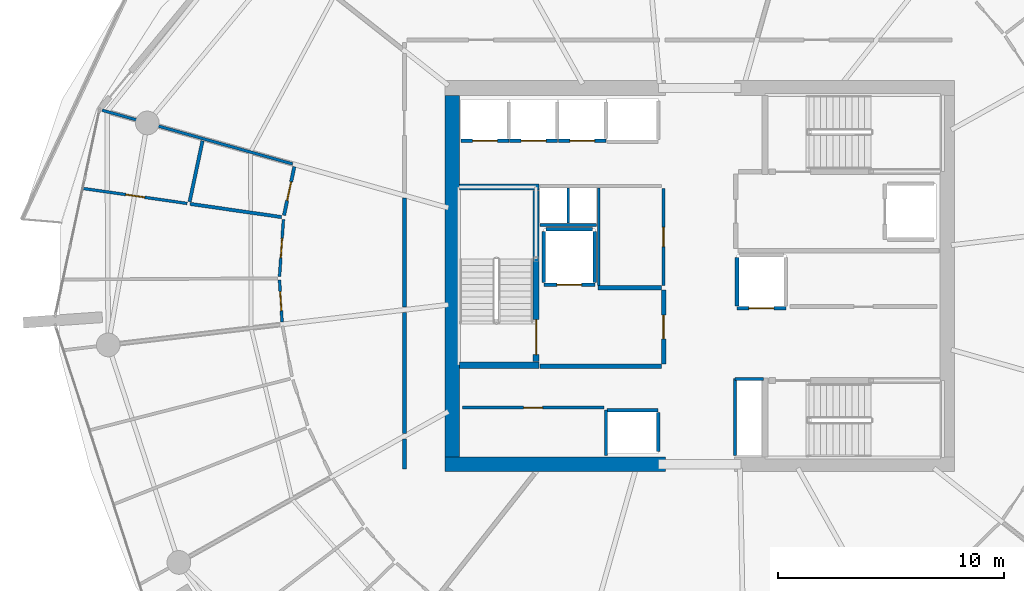
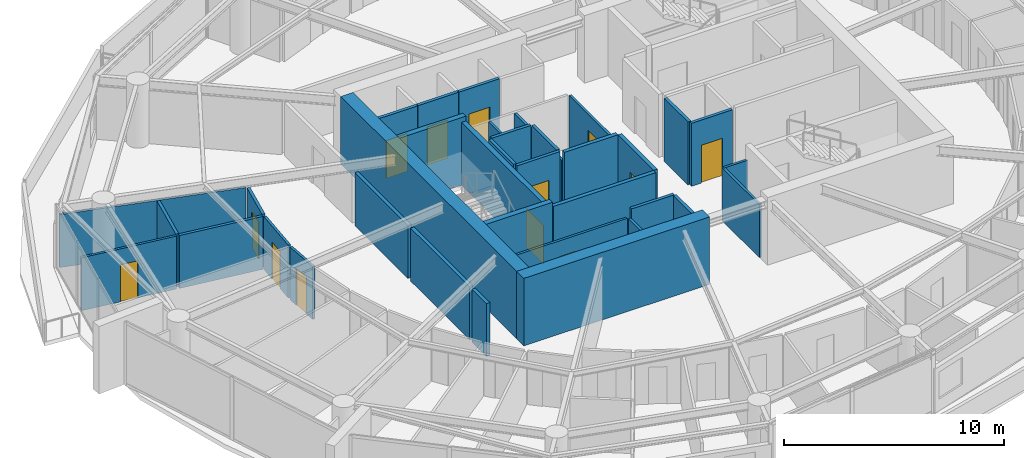
# One storey, part 12 of 21: 37 walls, 13 doors, 13 openings.
"""IFC4 building model written with IfcOpenShell, lengths in metres."""

from ifc_helpers import new_model, si_unit, direction, frame, frame_2d, origin, place, context, subcontext, project, spatial, rectangle, extrude, material, layer, layer_set, type_object, element, fill, save


model = new_model("IFC4")

# Units and contexts
model_context = context("Model", 3, precision=1e-05, world=origin(), true_north=direction((0.0, 1.0)))
body_context = subcontext(model_context, "Body", "Model", "MODEL_VIEW")
ifc_project = project(units=[si_unit("LENGTHUNIT", "METRE"), si_unit("AREAUNIT", "SQUARE_METRE"), si_unit("VOLUMEUNIT", "CUBIC_METRE"), si_unit("PLANEANGLEUNIT", "RADIAN"), si_unit("MASSUNIT", "GRAM", prefix="KILO")], contexts=[model_context])

# Site, building, storey
site_placement = place(None, origin())
site = spatial("IfcSite", under=ifc_project, at=site_placement, CompositionType="ELEMENT")
building_placement = place(site_placement, origin())
building = spatial("IfcBuilding", under=site, at=building_placement, Name="Kazma Halo Residences", CompositionType="ELEMENT")
storey_placement = place(building_placement, frame((0.0, 0.0, 184.050048828125)))
storey = spatial("IfcBuildingStorey", under=building, at=storey_placement, Name="L46", CompositionType="ELEMENT", Elevation=184.050048828125)

# Walls
ifc_material_1 = material(Name="Concrete C60/75", Category="concrete")
ifc_layer_1 = layer(ifc_material_1, 0.64990234375)
ifc_layer_set_1 = layer_set([ifc_layer_1], Name="Concrete C60/75")
wall_type_1 = type_object("IfcWallType", Name="WL-CORE-650", PredefinedType="SHEAR", material=ifc_layer_set_1)
wall_1_placement = place(storey_placement, frame((37.14990234375, 33.675048828125, 0.0), z_axis=(0.0, 0.0, 1.0), x_axis=(1.0, 0.0, 0.0)))
element("IfcWall", 1, at=wall_1_placement, inside=storey, type_object=wall_type_1, Name="L46 central core shear wall SW", PredefinedType="SHEAR", context=body_context, shape_type="SweptSolid", body=[
    extrude(rectangle(XDim=9.75, YDim=0.64990234375, at=frame_2d((4.875, 0.0))), origin(), (0.0, 0.0, 1.0), 3.75),
])
wall_2_placement = place(storey_placement, frame((37.47509765625, 34.0, 0.0), z_axis=(0.0, 0.0, 1.0), x_axis=(0.0, 1.0, 0.0)))
element("IfcWall", 2, at=wall_2_placement, inside=storey, type_object=wall_type_1, Name="L46 central core shear wall W", PredefinedType="SHEAR", context=body_context, shape_type="SweptSolid", body=[
    extrude(rectangle(XDim=16.0, YDim=0.64990234375, at=frame_2d((8.0, 0.0))), origin(), (0.0, 0.0, 1.0), 3.75),
])
ifc_layer_2 = layer(ifc_material_1, 0.280029296875)
ifc_layer_set_2 = layer_set([ifc_layer_2], Name="Concrete C60/75")
wall_type_2 = type_object("IfcWallType", Name="WL-CORE-ST-280", PredefinedType="SHEAR", material=ifc_layer_set_2)
for number, where, z_axis, x_axis, name in (
    (3, (37.800048828125, 38.06005859375, 0.0), (0.0, 0.0, 1.0), (1.0, 0.0, 0.0), "L46 stairwell bearing wall ST01-S"),
    (4, (37.800048828125, 45.93994140625, 0.0), (0.0, 0.0, 1.0), (1.0, 0.0, 0.0), "L46 stairwell bearing wall ST01-N"),
):
    element("IfcWall", number, at=place(storey_placement, frame(where, z_axis=z_axis, x_axis=x_axis)), inside=storey, type_object=wall_type_2, Name=name, PredefinedType="SHEAR", context=body_context, shape_type="SweptSolid", body=[
        extrude(rectangle(XDim=3.5, YDim=0.280029296875, at=frame_2d((1.75, 0.0))), origin(), (0.0, 0.0, 1.0), 3.75),
    ])
ifc_material_2 = material(Name="Acoustic Twin-Stud Gypsum")
ifc_layer_3 = layer(ifc_material_2, 0.179931640625)
ifc_layer_set_3 = layer_set([ifc_layer_3], Name="Acoustic Twin-Stud Gypsum")
wall_type_3 = type_object("IfcWallType", Name="WL-DEM-180", PredefinedType="PARTITIONING", material=ifc_layer_set_3)
wall_3_placement = place(storey_placement, frame((35.35009765625, 45.44775390625, 0.0), z_axis=(0.0, 0.0, 1.0), x_axis=(0.0, -1.0, 0.0)))
element("IfcWall", 5, at=wall_3_placement, inside=storey, type_object=wall_type_3, Name="L46 Apartment 2 inner wall 6", PredefinedType="PARTITIONING", context=body_context, shape_type="SweptSolid", body=[
    extrude(rectangle(XDim=4.824951171875, YDim=0.179931640625, at=frame_2d((2.41259765625, 0.0))), origin(), (0.0, 0.0, 1.0), 2.93994140625),
])
wall_4_placement = place(storey_placement, frame((35.35009765625, 40.3828125, 0.0), z_axis=(0.0, 0.0, 1.0), x_axis=(0.0, -1.0, 0.0)))
element("IfcWall", 6, at=wall_4_placement, inside=storey, type_object=wall_type_3, Name="L46 Apartment 2 inner wall 7", PredefinedType="PARTITIONING", context=body_context, shape_type="SweptSolid", body=[
    extrude(rectangle(XDim=5.34716796875, YDim=0.179931640625, at=frame_2d((2.673583984375, 0.0))), origin(), (0.0, 0.0, 1.0), 2.93994140625),
])
wall_5_placement = place(storey_placement, frame((35.35009765625, 34.795654296875, 0.0), z_axis=(0.0, 0.0, 1.0), x_axis=(0.0, -1.0, 0.0)))
element("IfcWall", 7, at=wall_5_placement, inside=storey, type_object=wall_type_3, Name="L46 Apartment 2 inner wall 8", PredefinedType="PARTITIONING", context=body_context, shape_type="SweptSolid", body=[
    extrude(rectangle(XDim=1.32568359375, YDim=0.179931640625, at=frame_2d((0.662841796875, 0.0))), origin(), (0.0, 0.0, 1.0), 2.93994140625),
])

# Wall, opening, door
ifc_material_3 = material(Name="Fire-Rated Blockwork Masonry", Category="masonry")
ifc_layer_4 = layer(ifc_material_3, 0.199951171875)
ifc_layer_set_4 = layer_set([ifc_layer_4], Name="Fire-Rated Blockwork Masonry")
wall_type_4 = type_object("IfcWallType", Name="WL-FLB-200", PredefinedType="PARTITIONING", material=ifc_layer_set_4)
wall_6_placement = place(storey_placement, frame((39.97509765625, 47.9951171875, 0.0), z_axis=(0.0, 0.0, 1.0), x_axis=(-1.0, 0.0, 0.0)))
wall_6 = element("IfcWall", 8, at=wall_6_placement, inside=storey, type_object=wall_type_4, Name="L46 lift shaft PM-01 front wall", PredefinedType="PARTITIONING", context=body_context, shape_type="SweptSolid", body=[
    extrude(rectangle(XDim=2.110107421875, YDim=0.159912109375, at=frame_2d((1.05517578125, 0.0))), origin(), (0.0, 0.0, 1.0), 3.5),
])
opening_1_placement = place(wall_6_placement, frame((0.5048828125, 0.0, 0.0)))
opening_1 = element("IfcOpeningElement", 9, at=opening_1_placement, cuts=wall_6, Name="Opening LD-PM-01", PredefinedType="OPENING", context=body_context, shape_type="SweptSolid", body=[
    extrude(rectangle(XDim=1.10009765625, YDim=2.10009765625, at=frame_2d((0.550048828125, 1.050048828125))), frame((0.0, 0.08984375, 0.0), z_axis=(0.0, -1.0, 0.0), x_axis=(1.0, 0.0, 0.0)), (0.0, 0.0, 1.0), 0.179931640625),
])
ifc_material_4 = material(Name="Stainless Steel Fire-Rated", Category="steel")
door_type_1 = type_object("IfcDoorType", Name="DR-LIFT-SLD-1100", OperationType="DOUBLE_DOOR_SLIDING", PredefinedType="DOOR", material=ifc_material_4)
door_1_placement = place(opening_1_placement, origin())
door_1 = element("IfcDoor", 10, at=door_1_placement, inside=storey, type_object=door_type_1, Name="L46 lift PM-01 sliding landing door", OperationType="DOUBLE_DOOR_SLIDING", OverallHeight=2.10009765625, OverallWidth=1.10009765625, PredefinedType="DOOR", context=body_context, shape_type="SweptSolid", body=[
    extrude(rectangle(XDim=1.10009765625, YDim=2.10009765625, at=frame_2d((0.550048828125, 1.050048828125))), frame((0.0, 0.02490234375, 0.0), z_axis=(0.0, -1.0, 0.0), x_axis=(1.0, 0.0, 0.0)), (0.0, 0.0, 1.0), 0.050048828125),
])
fill(opening_1, door_1)

wall_7_placement = place(storey_placement, frame((42.125, 47.9951171875, 0.0), z_axis=(0.0, 0.0, 1.0), x_axis=(-1.0, 0.0, 0.0)))
wall_7 = element("IfcWall", 11, at=wall_7_placement, inside=storey, type_object=wall_type_4, Name="L46 lift shaft PM-02 front wall", PredefinedType="PARTITIONING", context=body_context, shape_type="SweptSolid", body=[
    extrude(rectangle(XDim=2.110107421875, YDim=0.159912109375, at=frame_2d((1.05517578125, 0.0))), origin(), (0.0, 0.0, 1.0), 3.5),
])
opening_2_placement = place(wall_7_placement, frame((0.5048828125, 0.0, 0.0)))
opening_2 = element("IfcOpeningElement", 12, at=opening_2_placement, cuts=wall_7, Name="Opening LD-PM-02", PredefinedType="OPENING", context=body_context, shape_type="SweptSolid", body=[
    extrude(rectangle(XDim=1.10009765625, YDim=2.10009765625, at=frame_2d((0.550048828125, 1.050048828125))), frame((0.0, 0.08984375, 0.0), z_axis=(0.0, -1.0, 0.0), x_axis=(1.0, 0.0, 0.0)), (0.0, 0.0, 1.0), 0.179931640625),
])
door_2_placement = place(opening_2_placement, origin())
door_2 = element("IfcDoor", 13, at=door_2_placement, inside=storey, type_object=door_type_1, Name="L46 lift PM-02 sliding landing door", OperationType="DOUBLE_DOOR_SLIDING", OverallHeight=2.10009765625, OverallWidth=1.10009765625, PredefinedType="DOOR", context=body_context, shape_type="SweptSolid", body=[
    extrude(rectangle(XDim=1.10009765625, YDim=2.10009765625, at=frame_2d((0.550048828125, 1.050048828125))), frame((0.0, 0.02490234375, 0.0), z_axis=(0.0, -1.0, 0.0), x_axis=(1.0, 0.0, 0.0)), (0.0, 0.0, 1.0), 0.050048828125),
])
fill(opening_2, door_2)

wall_8_placement = place(storey_placement, frame((44.27490234375, 47.9951171875, 0.0), z_axis=(0.0, 0.0, 1.0), x_axis=(-1.0, 0.0, 0.0)))
wall_8 = element("IfcWall", 14, at=wall_8_placement, inside=storey, type_object=wall_type_4, Name="L46 lift shaft PM-03 front wall", PredefinedType="PARTITIONING", context=body_context, shape_type="SweptSolid", body=[
    extrude(rectangle(XDim=2.10986328125, YDim=0.159912109375, at=frame_2d((1.054931640625, 0.0))), origin(), (0.0, 0.0, 1.0), 3.5),
])
opening_3_placement = place(wall_8_placement, frame((0.5048828125, 0.0, 0.0)))
opening_3 = element("IfcOpeningElement", 15, at=opening_3_placement, cuts=wall_8, Name="Opening LD-PM-03", PredefinedType="OPENING", context=body_context, shape_type="SweptSolid", body=[
    extrude(rectangle(XDim=1.10009765625, YDim=2.10009765625, at=frame_2d((0.550048828125, 1.050048828125))), frame((0.0, 0.08984375, 0.0), z_axis=(0.0, -1.0, 0.0), x_axis=(1.0, 0.0, 0.0)), (0.0, 0.0, 1.0), 0.179931640625),
])
door_3_placement = place(opening_3_placement, origin())
door_3 = element("IfcDoor", 16, at=door_3_placement, inside=storey, type_object=door_type_1, Name="L46 lift PM-03 sliding landing door", OperationType="DOUBLE_DOOR_SLIDING", OverallHeight=2.10009765625, OverallWidth=1.10009765625, PredefinedType="DOOR", context=body_context, shape_type="SweptSolid", body=[
    extrude(rectangle(XDim=1.10009765625, YDim=2.10009765625, at=frame_2d((0.550048828125, 1.050048828125))), frame((0.0, 0.02490234375, 0.0), z_axis=(0.0, -1.0, 0.0), x_axis=(1.0, 0.0, 0.0)), (0.0, 0.0, 1.0), 0.050048828125),
])
fill(opening_3, door_3)

# Walls
wall_9_placement = place(storey_placement, frame((44.320068359375, 36.054931640625, 0.0), z_axis=(0.0, 0.0, 1.0), x_axis=(1.0, 0.0, 0.0)))
element("IfcWall", 17, at=wall_9_placement, inside=storey, type_object=wall_type_4, Name="L46 lift shaft PX-02 front wall", PredefinedType="PARTITIONING", context=body_context, shape_type="SweptSolid", body=[
    extrude(rectangle(XDim=2.260009765625, YDim=0.159912109375, at=frame_2d((1.1298828125, 0.0))), origin(), (0.0, 0.0, 1.0), 3.5),
])
wall_10_placement = place(storey_placement, frame((46.580078125, 34.2451171875, 0.0), z_axis=(0.0, 0.0, 1.0), x_axis=(0.0, 1.0, 0.0)))
element("IfcWall", 18, at=wall_10_placement, inside=storey, type_object=wall_type_4, Name="L46 lift shaft PX-02 side wall E", PredefinedType="PARTITIONING", context=body_context, shape_type="SweptSolid", body=[
    extrude(rectangle(XDim=1.7099609375, YDim=0.159912109375, at=frame_2d((0.85498046875, 0.0))), origin(), (0.0, 0.0, 1.0), 3.5),
])

# Wall, opening, door
wall_11_placement = place(storey_placement, frame((43.780029296875, 41.6201171875, 0.0), z_axis=(0.0, 0.0, 1.0), x_axis=(-1.0, 0.0, 0.0)))
wall_11 = element("IfcWall", 19, at=wall_11_placement, inside=storey, type_object=wall_type_4, Name="L46 lift shaft FL-01 front wall", PredefinedType="PARTITIONING", context=body_context, shape_type="SweptSolid", body=[
    extrude(rectangle(XDim=2.260009765625, YDim=0.159912109375, at=frame_2d((1.1298828125, 0.0))), origin(), (0.0, 0.0, 1.0), 3.5),
])
opening_4_placement = place(wall_11_placement, frame((0.580078125, 0.0, 0.0)))
opening_4 = element("IfcOpeningElement", 20, at=opening_4_placement, cuts=wall_11, Name="Opening LD-FL-01", PredefinedType="OPENING", context=body_context, shape_type="SweptSolid", body=[
    extrude(rectangle(XDim=1.10009765625, YDim=2.10009765625, at=frame_2d((0.550048828125, 1.050048828125))), frame((0.0, 0.08984375, 0.0), z_axis=(0.0, -1.0, 0.0), x_axis=(1.0, 0.0, 0.0)), (0.0, 0.0, 1.0), 0.179931640625),
])
door_4_placement = place(opening_4_placement, origin())
door_4 = element("IfcDoor", 21, at=door_4_placement, inside=storey, type_object=door_type_1, Name="L46 lift FL-01 sliding landing door", OperationType="DOUBLE_DOOR_SLIDING", OverallHeight=2.10009765625, OverallWidth=1.10009765625, PredefinedType="DOOR", context=body_context, shape_type="SweptSolid", body=[
    extrude(rectangle(XDim=1.10009765625, YDim=2.10009765625, at=frame_2d((0.550048828125, 1.050048828125))), frame((0.0, 0.02490234375, 0.0), z_axis=(0.0, -1.0, 0.0), x_axis=(1.0, 0.0, 0.0)), (0.0, 0.0, 1.0), 0.050048828125),
])
fill(opening_4, door_4)

# Walls
for number, where, z_axis, x_axis, name in (
    (22, (43.780029296875, 41.719970703125, 0.0), (0.0, 0.0, 1.0), (0.0, 1.0, 0.0), "L46 lift shaft FL-01 side wall E"),
    (23, (41.52001953125, 41.719970703125, 0.0), (0.0, 0.0, 1.0), (0.0, 1.0, 0.0), "L46 lift shaft FL-01 side wall W"),
):
    element("IfcWall", number, at=place(storey_placement, frame(where, z_axis=z_axis, x_axis=x_axis)), inside=storey, type_object=wall_type_4, Name=name, PredefinedType="PARTITIONING", context=body_context, shape_type="SweptSolid", body=[
        extrude(rectangle(XDim=2.260009765625, YDim=0.159912109375, at=frame_2d((1.1298828125, 0.0))), origin(), (0.0, 0.0, 1.0), 3.5),
    ])
wall_12_placement = place(storey_placement, frame((41.6201171875, 44.080078125, 0.0), z_axis=(0.0, 0.0, 1.0), x_axis=(1.0, 0.0, 0.0)))
element("IfcWall", 24, at=wall_12_placement, inside=storey, type_object=wall_type_4, Name="L46 lift shaft FL-01 side wall N", PredefinedType="PARTITIONING", context=body_context, shape_type="SweptSolid", body=[
    extrude(rectangle(XDim=2.059814453125, YDim=0.159912109375, at=frame_2d((1.02978515625, 0.0))), origin(), (0.0, 0.0, 1.0), 3.5),
])

# Wall, opening, door
wall_13_placement = place(storey_placement, frame((52.22998046875, 40.570068359375, 0.0), z_axis=(0.0, 0.0, 1.0), x_axis=(-1.0, 0.0, 0.0)))
wall_13 = element("IfcWall", 25, at=wall_13_placement, inside=storey, type_object=wall_type_4, Name="L46 lift shaft SV-01 front wall", PredefinedType="PARTITIONING", context=body_context, shape_type="SweptSolid", body=[
    extrude(rectangle(XDim=2.159912109375, YDim=0.159912109375, at=frame_2d((1.080078125, 0.0))), origin(), (0.0, 0.0, 1.0), 3.5),
])
opening_5_placement = place(wall_13_placement, frame((0.530029296875, 0.0, 0.0)))
opening_5 = element("IfcOpeningElement", 26, at=opening_5_placement, cuts=wall_13, Name="Opening LD-SV-01", PredefinedType="OPENING", context=body_context, shape_type="SweptSolid", body=[
    extrude(rectangle(XDim=1.10009765625, YDim=2.10009765625, at=frame_2d((0.550048828125, 1.050048828125))), frame((0.0, 0.08984375, 0.0), z_axis=(0.0, -1.0, 0.0), x_axis=(1.0, 0.0, 0.0)), (0.0, 0.0, 1.0), 0.179931640625),
])
door_5_placement = place(opening_5_placement, origin())
door_5 = element("IfcDoor", 27, at=door_5_placement, inside=storey, type_object=door_type_1, Name="L46 lift SV-01 sliding landing door", OperationType="DOUBLE_DOOR_SLIDING", OverallHeight=2.10009765625, OverallWidth=1.10009765625, PredefinedType="DOOR", context=body_context, shape_type="SweptSolid", body=[
    extrude(rectangle(XDim=1.10009765625, YDim=2.10009765625, at=frame_2d((0.550048828125, 1.050048828125))), frame((0.0, 0.02490234375, 0.0), z_axis=(0.0, -1.0, 0.0), x_axis=(1.0, 0.0, 0.0)), (0.0, 0.0, 1.0), 0.050048828125),
])
fill(opening_5, door_5)

# Walls
wall_14_placement = place(storey_placement, frame((50.070068359375, 40.669921875, 0.0), z_axis=(0.0, 0.0, 1.0), x_axis=(0.0, 1.0, 0.0)))
element("IfcWall", 28, at=wall_14_placement, inside=storey, type_object=wall_type_4, Name="L46 lift shaft SV-01 side wall W", PredefinedType="PARTITIONING", context=body_context, shape_type="SweptSolid", body=[
    extrude(rectangle(XDim=2.16015625, YDim=0.159912109375, at=frame_2d((1.080078125, 0.0))), origin(), (0.0, 0.0, 1.0), 3.5),
])
wall_15_placement = place(storey_placement, frame((41.35009765625, 38.02001953125, 0.0), z_axis=(0.0, 0.0, 1.0), x_axis=(1.0, 0.0, 0.0)))
element("IfcWall", 29, at=wall_15_placement, inside=storey, type_object=wall_type_4, Name="L46 west firefighting lobby south smoke wall", PredefinedType="PARTITIONING", context=body_context, shape_type="SweptSolid", body=[
    extrude(rectangle(XDim=5.369873046875, YDim=0.199951171875, at=frame_2d((2.68505859375, 0.0))), origin(), (0.0, 0.0, 1.0), 3.5),
])
wall_16_placement = place(storey_placement, frame((43.919921875, 41.47998046875, 0.0), z_axis=(0.0, 0.0, 1.0), x_axis=(1.0, 0.0, 0.0)))
element("IfcWall", 30, at=wall_16_placement, inside=storey, type_object=wall_type_4, Name="L46 west firefighting lobby north smoke wall", PredefinedType="PARTITIONING", context=body_context, shape_type="SweptSolid", body=[
    extrude(rectangle(XDim=2.800048828125, YDim=0.199951171875, at=frame_2d((1.39990234375, 0.0))), origin(), (0.0, 0.0, 1.0), 3.5),
])

# Wall, opening, door
wall_17_placement = place(storey_placement, frame((46.820068359375, 38.1201171875, 0.0), z_axis=(0.0, 0.0, 1.0), x_axis=(0.0, 1.0, 0.0)))
wall_17 = element("IfcWall", 31, at=wall_17_placement, inside=storey, type_object=wall_type_4, Name="L46 west firefighting lobby smoke wall", PredefinedType="PARTITIONING", context=body_context, shape_type="SweptSolid", body=[
    extrude(rectangle(XDim=3.259765625, YDim=0.199951171875, at=frame_2d((1.6298828125, 0.0))), origin(), (0.0, 0.0, 1.0), 3.5),
])
opening_6_placement = place(wall_17_placement, frame((1.10498046875, 0.0, 0.0)))
opening_6 = element("IfcOpeningElement", 32, at=opening_6_placement, cuts=wall_17, Name="Opening D-FLW", PredefinedType="OPENING", context=body_context, shape_type="SweptSolid", body=[
    extrude(rectangle(XDim=1.050048828125, YDim=2.10009765625, at=frame_2d((0.52490234375, 1.050048828125))), frame((0.0, 0.10986328125, 0.0), z_axis=(0.0, -1.0, 0.0), x_axis=(1.0, 0.0, 0.0)), (0.0, 0.0, 1.0), 0.219970703125),
])
ifc_material_5 = material(Name="Fire-Rated Steel Leaf", Category="steel")
door_type_2 = type_object("IfcDoorType", Name="DR-FD90-1050", OperationType="NOTDEFINED", PredefinedType="DOOR", material=ifc_material_5)
door_6_placement = place(opening_6_placement, origin())
door_6 = element("IfcDoor", 33, at=door_6_placement, inside=storey, type_object=door_type_2, Name="L46 west firefighting lobby smoke door", OperationType="SINGLE_SWING_LEFT", OverallHeight=2.10009765625, OverallWidth=1.050048828125, PredefinedType="DOOR", context=body_context, shape_type="SweptSolid", body=[
    extrude(rectangle(XDim=1.050048828125, YDim=2.10009765625, at=frame_2d((0.52490234375, 1.050048828125))), frame((0.0, 0.02490234375, 0.0), z_axis=(0.0, -1.0, 0.0), x_axis=(1.0, 0.0, 0.0)), (0.0, 0.0, 1.0), 0.050048828125),
])
fill(opening_6, door_6)

# Wall
ifc_material_6 = material(Name="Gypsum Plasterboard Partition")
ifc_layer_5 = layer(ifc_material_6, 0.125)
ifc_layer_set_5 = layer_set([ifc_layer_5], Name="Gypsum Plasterboard Partition")
wall_type_5 = type_object("IfcWallType", Name="WL-PART-125", PredefinedType="PARTITIONING", material=ifc_layer_set_5)
wall_18_placement = place(storey_placement, frame((44.280029296875, 34.050048828125, 0.0), z_axis=(0.0, 0.0, 1.0), x_axis=(0.0, 1.0, 0.0)))
element("IfcWall", 34, at=wall_18_placement, inside=storey, type_object=wall_type_5, Name="L46 reclaimed south east wall", PredefinedType="PARTITIONING", context=body_context, shape_type="SweptSolid", body=[
    extrude(rectangle(XDim=2.030029296875, YDim=0.125, at=frame_2d((1.01513671875, 0.0))), origin(), (0.0, 0.0, 1.0), 2.93994140625),
])

# Wall, opening, door
wall_19_placement = place(storey_placement, frame((37.919921875, 36.179931640625, 0.0), z_axis=(0.0, 0.0, 1.0), x_axis=(1.0, 0.0, 0.0)))
wall_19 = element("IfcWall", 35, at=wall_19_placement, inside=storey, type_object=wall_type_5, Name="L46 reclaimed south front wall", PredefinedType="PARTITIONING", context=body_context, shape_type="SweptSolid", body=[
    extrude(rectangle(XDim=6.260009765625, YDim=0.125, at=frame_2d((3.1298828125, 0.0))), origin(), (0.0, 0.0, 1.0), 2.93994140625),
])
opening_7_placement = place(wall_19_placement, frame((2.705078125, 0.0, 0.0)))
opening_7 = element("IfcOpeningElement", 36, at=opening_7_placement, cuts=wall_19, Name="Opening DS-850", PredefinedType="OPENING", context=body_context, shape_type="SweptSolid", body=[
    extrude(rectangle(XDim=0.85009765625, YDim=2.06005859375, at=frame_2d((0.425048828125, 1.030029296875))), frame((0.0, 0.072509765625, 0.0), z_axis=(0.0, -1.0, 0.0), x_axis=(1.0, 0.0, 0.0)), (0.0, 0.0, 1.0), 0.14501953125),
])
ifc_material_7 = material(Name="Painted Steel Access Leaf", Category="steel")
door_type_3 = type_object("IfcDoorType", Name="DR-SVC-850", OperationType="NOTDEFINED", PredefinedType="DOOR", material=ifc_material_7)
door_7_placement = place(opening_7_placement, origin())
door_7 = element("IfcDoor", 37, at=door_7_placement, inside=storey, type_object=door_type_3, Name="L46 reclaimed south service door", OperationType="SINGLE_SWING_LEFT", OverallHeight=2.06005859375, OverallWidth=0.85009765625, PredefinedType="DOOR", context=body_context, shape_type="SweptSolid", body=[
    extrude(rectangle(XDim=0.85009765625, YDim=2.06005859375, at=frame_2d((0.425048828125, 1.030029296875))), frame((0.0, 0.02490234375, 0.0), z_axis=(0.0, -1.0, 0.0), x_axis=(1.0, 0.0, 0.0)), (0.0, 0.0, 1.0), 0.050048828125),
])
fill(opening_7, door_7)

# Walls
wall_20_placement = place(storey_placement, frame((41.360107421875, 44.260009765625, 0.0), z_axis=(0.0, 0.0, 1.0), x_axis=(1.0, 0.0, 0.0)))
element("IfcWall", 38, at=wall_20_placement, inside=storey, type_object=wall_type_5, Name="L46 core riser south wall", PredefinedType="PARTITIONING", context=body_context, shape_type="SweptSolid", body=[
    extrude(rectangle(XDim=2.5, YDim=0.125, at=frame_2d((1.25, 0.0))), origin(), (0.0, 0.0, 1.0), 2.93994140625),
])
wall_21_placement = place(storey_placement, frame((42.60009765625, 44.35009765625, 0.0), z_axis=(0.0, 0.0, 1.0), x_axis=(0.0, 1.0, 0.0)))
element("IfcWall", 39, at=wall_21_placement, inside=storey, type_object=wall_type_5, Name="L46 core riser divider wall", PredefinedType="PARTITIONING", context=body_context, shape_type="SweptSolid", body=[
    extrude(rectangle(XDim=1.5498046875, YDim=0.125, at=frame_2d((0.77490234375, 0.0))), origin(), (0.0, 0.0, 1.0), 2.93994140625),
])
wall_22_placement = place(storey_placement, frame((49.97998046875, 34.06005859375, 0.0), z_axis=(0.0, 0.0, 1.0), x_axis=(0.0, 1.0, 0.0)))
element("IfcWall", 40, at=wall_22_placement, inside=storey, type_object=wall_type_5, Name="L46 standpipe riser wall", PredefinedType="PARTITIONING", context=body_context, shape_type="SweptSolid", body=[
    extrude(rectangle(XDim=3.39990234375, YDim=0.125, at=frame_2d((1.699951171875, 0.0))), origin(), (0.0, 0.0, 1.0), 2.93994140625),
])
wall_23_placement = place(storey_placement, frame((49.97998046875, 37.43994140625, 0.0), z_axis=(0.0, 0.0, 1.0), x_axis=(1.0, 0.0, 0.0)))
element("IfcWall", 41, at=wall_23_placement, inside=storey, type_object=wall_type_5, Name="L46 standpipe riser north wall", PredefinedType="PARTITIONING", context=body_context, shape_type="SweptSolid", body=[
    extrude(rectangle(XDim=1.260009765625, YDim=0.125, at=frame_2d((0.6298828125, 0.0))), origin(), (0.0, 0.0, 1.0), 2.93994140625),
])
wall_24_placement = place(storey_placement, frame((43.949951171875, 41.580078125, 0.0), z_axis=(0.0, 0.0, 1.0), x_axis=(0.0, 1.0, 0.0)))
element("IfcWall", 42, at=wall_24_placement, inside=storey, type_object=wall_type_5, Name="L46 core service west wall", PredefinedType="PARTITIONING", context=body_context, shape_type="SweptSolid", body=[
    extrude(rectangle(XDim=4.31982421875, YDim=0.125, at=frame_2d((2.159912109375, 0.0))), origin(), (0.0, 0.0, 1.0), 2.93994140625),
])

# Wall, opening, door
wall_25_placement = place(storey_placement, frame((46.820068359375, 41.580078125, 0.0), z_axis=(0.0, 0.0, 1.0), x_axis=(0.0, 1.0, 0.0)))
wall_25 = element("IfcWall", 43, at=wall_25_placement, inside=storey, type_object=wall_type_5, Name="L46 core service room east wall", PredefinedType="PARTITIONING", context=body_context, shape_type="SweptSolid", body=[
    extrude(rectangle(XDim=4.2998046875, YDim=0.125, at=frame_2d((2.14990234375, 0.0))), origin(), (0.0, 0.0, 1.0), 2.93994140625),
])
opening_8_placement = place(wall_25_placement, frame((1.72509765625, 0.0, 0.0)))
opening_8 = element("IfcOpeningElement", 44, at=opening_8_placement, cuts=wall_25, Name="Opening DS-850", PredefinedType="OPENING", context=body_context, shape_type="SweptSolid", body=[
    extrude(rectangle(XDim=0.85009765625, YDim=2.06005859375, at=frame_2d((0.425048828125, 1.030029296875))), frame((0.0, 0.072509765625, 0.0), z_axis=(0.0, -1.0, 0.0), x_axis=(1.0, 0.0, 0.0)), (0.0, 0.0, 1.0), 0.14501953125),
])
door_8_placement = place(opening_8_placement, origin())
door_8 = element("IfcDoor", 45, at=door_8_placement, inside=storey, type_object=door_type_3, Name="L46 core service room door", OperationType="SINGLE_SWING_LEFT", OverallHeight=2.06005859375, OverallWidth=0.85009765625, PredefinedType="DOOR", context=body_context, shape_type="SweptSolid", body=[
    extrude(rectangle(XDim=0.85009765625, YDim=2.06005859375, at=frame_2d((0.425048828125, 1.030029296875))), frame((0.0, 0.02490234375, 0.0), z_axis=(0.0, -1.0, 0.0), x_axis=(1.0, 0.0, 0.0)), (0.0, 0.0, 1.0), 0.050048828125),
])
fill(opening_8, door_8)

# Wall
wall_26_placement = place(storey_placement, frame((30.408203125, 46.961181640625, 0.0), z_axis=(0.0, 0.0, 1.0), x_axis=(-0.962446872886, 0.27147010309, 0.0)))
element("IfcWall", 46, at=wall_26_placement, inside=storey, type_object=wall_type_5, Name="L46 Apartment 2 radial partition 6", PredefinedType="PARTITIONING", context=body_context, shape_type="SweptSolid", body=[
    extrude(rectangle(XDim=8.752197265625, YDim=0.125, at=frame_2d((4.3759765625, 0.0))), origin(), (0.0, 0.0, 1.0), 2.93994140625),
])

# Wall, opening, door
wall_27_placement = place(storey_placement, frame((25.74267578125, 45.21240234375, 0.0), z_axis=(0.0, 0.0, 1.0), x_axis=(-0.989750054304, 0.142810468819, 0.0)))
wall_27 = element("IfcWall", 47, at=wall_27_placement, inside=storey, type_object=wall_type_5, Name="L46 Apartment 2 Utility Laundry Room partition wall", PredefinedType="PARTITIONING", context=body_context, shape_type="SweptSolid", body=[
    extrude(rectangle(XDim=4.64990234375, YDim=0.125, at=frame_2d((2.324951171875, 0.0))), origin(), (0.0, 0.0, 1.0), 2.93994140625),
])
opening_9_placement = place(wall_27_placement, frame((1.89990234375, 0.0, 0.0)))
opening_9 = element("IfcOpeningElement", 48, at=opening_9_placement, cuts=wall_27, Name="Opening DB-900", PredefinedType="OPENING", context=body_context, shape_type="SweptSolid", body=[
    extrude(rectangle(XDim=0.85009765625, YDim=2.06005859375, at=frame_2d((0.425048828125, 1.030029296875))), frame((0.0, 0.072509765625, 0.0), z_axis=(0.0, -1.0, 0.0), x_axis=(1.0, 0.0, 0.0)), (0.0, 0.0, 1.0), 0.14501953125),
])
ifc_material_8 = material(Name="Moisture-Sealed Timber Leaf", Category="wood")
door_type_4 = type_object("IfcDoorType", Name="DR-BTH-900", OperationType="NOTDEFINED", PredefinedType="DOOR", material=ifc_material_8)
door_9_placement = place(opening_9_placement, origin())
door_9 = element("IfcDoor", 49, at=door_9_placement, inside=storey, type_object=door_type_4, Name="L46 Apartment 2 Utility Laundry Room door", OperationType="SINGLE_SWING_RIGHT", OverallHeight=2.06005859375, OverallWidth=0.85009765625, PredefinedType="DOOR", context=body_context, shape_type="SweptSolid", body=[
    extrude(rectangle(XDim=0.85009765625, YDim=2.06005859375, at=frame_2d((0.425048828125, 1.030029296875))), frame((0.0, 0.02490234375, 0.0), z_axis=(0.0, -1.0, 0.0), x_axis=(1.0, 0.0, 0.0)), (0.0, 0.0, 1.0), 0.050048828125),
])
fill(opening_9, door_9)

wall_28_placement = place(storey_placement, frame((30.002197265625, 44.5068359375, 0.0), z_axis=(0.0, 0.0, 1.0), x_axis=(-0.06880870641, -0.997629872208, 0.0)))
wall_28 = element("IfcWall", 50, at=wall_28_placement, inside=storey, type_object=wall_type_5, Name="L46 Apartment 2 Gourmet Kitchen hall wall", PredefinedType="PARTITIONING", context=body_context, shape_type="SweptSolid", body=[
    extrude(rectangle(XDim=2.533447265625, YDim=0.125, at=frame_2d((1.2666015625, 0.0))), origin(), (0.0, 0.0, 1.0), 2.93994140625),
])
opening_10_placement = place(wall_28_placement, frame((0.841796875, 0.0, 0.0)))
opening_10 = element("IfcOpeningElement", 51, at=opening_10_placement, cuts=wall_28, Name="Opening DB-900", PredefinedType="OPENING", context=body_context, shape_type="SweptSolid", body=[
    extrude(rectangle(XDim=0.85009765625, YDim=2.06005859375, at=frame_2d((0.425048828125, 1.030029296875))), frame((0.0, 0.072509765625, 0.0), z_axis=(0.0, -1.0, 0.0), x_axis=(1.0, 0.0, 0.0)), (0.0, 0.0, 1.0), 0.14501953125),
])
door_10_placement = place(opening_10_placement, origin())
door_10 = element("IfcDoor", 52, at=door_10_placement, inside=storey, type_object=door_type_4, Name="L46 Apartment 2 Gourmet Kitchen door", OperationType="SINGLE_SWING_LEFT", OverallHeight=2.06005859375, OverallWidth=0.85009765625, PredefinedType="DOOR", context=body_context, shape_type="SweptSolid", body=[
    extrude(rectangle(XDim=0.85009765625, YDim=2.06005859375, at=frame_2d((0.425048828125, 1.030029296875))), frame((0.0, 0.02490234375, 0.0), z_axis=(0.0, -1.0, 0.0), x_axis=(1.0, 0.0, 0.0)), (0.0, 0.0, 1.0), 0.050048828125),
])
fill(opening_10, door_10)

wall_29_placement = place(storey_placement, frame((29.8271484375, 41.81982421875, 0.0), z_axis=(0.0, 0.0, 1.0), x_axis=(0.061683760626, -0.998095743742, 0.0)))
wall_29 = element("IfcWall", 53, at=wall_29_placement, inside=storey, type_object=wall_type_5, Name="L46 Apartment 2 Primary Bedroom hall wall", PredefinedType="PARTITIONING", context=body_context, shape_type="SweptSolid", body=[
    extrude(rectangle(XDim=1.8603515625, YDim=0.125, at=frame_2d((0.93017578125, 0.0))), origin(), (0.0, 0.0, 1.0), 2.93994140625),
])
opening_11_placement = place(wall_29_placement, frame((0.505126953125, 0.0, 0.0)))
opening_11 = element("IfcOpeningElement", 54, at=opening_11_placement, cuts=wall_29, Name="Opening DB-900", PredefinedType="OPENING", context=body_context, shape_type="SweptSolid", body=[
    extrude(rectangle(XDim=0.85009765625, YDim=2.06005859375, at=frame_2d((0.425048828125, 1.030029296875))), frame((0.0, 0.072509765625, 0.0), z_axis=(0.0, -1.0, 0.0), x_axis=(1.0, 0.0, 0.0)), (0.0, 0.0, 1.0), 0.14501953125),
])
door_11_placement = place(opening_11_placement, origin())
door_11 = element("IfcDoor", 55, at=door_11_placement, inside=storey, type_object=door_type_4, Name="L46 Apartment 2 Primary Bedroom door", OperationType="SINGLE_SWING_RIGHT", OverallHeight=2.06005859375, OverallWidth=0.85009765625, PredefinedType="DOOR", context=body_context, shape_type="SweptSolid", body=[
    extrude(rectangle(XDim=0.85009765625, YDim=2.06005859375, at=frame_2d((0.425048828125, 1.030029296875))), frame((0.0, 0.02490234375, 0.0), z_axis=(0.0, -1.0, 0.0), x_axis=(1.0, 0.0, 0.0)), (0.0, 0.0, 1.0), 0.050048828125),
])
fill(opening_11, door_11)

ifc_material_9 = material(Name="Concrete C50/60", Category="concrete")
ifc_layer_6 = layer(ifc_material_9, 0.25)
ifc_layer_set_6 = layer_set([ifc_layer_6], Name="Concrete C50/60")
wall_type_6 = type_object("IfcWallType", Name="WL-SHF-250", PredefinedType="SOLIDWALL", material=ifc_layer_set_6)
wall_30_placement = place(storey_placement, frame((41.179931640625, 38.219970703125, 0.0), z_axis=(0.0, 0.0, 1.0), x_axis=(0.0, 1.0, 0.0)))
wall_30 = element("IfcWall", 56, at=wall_30_placement, inside=storey, type_object=wall_type_6, Name="L46 exit stair ST-01 enclosure wall", PredefinedType="SOLIDWALL", context=body_context, shape_type="SweptSolid", body=[
    extrude(rectangle(XDim=7.56005859375, YDim=0.25, at=frame_2d((3.780029296875, 0.0))), origin(), (0.0, 0.0, 1.0), 3.5),
])
opening_12_placement = place(wall_30_placement, frame((0.300048828125, 0.0, 0.0)))
opening_12 = element("IfcOpeningElement", 57, at=opening_12_placement, cuts=wall_30, Name="Opening D-ST1", PredefinedType="OPENING", context=body_context, shape_type="SweptSolid", body=[
    extrude(rectangle(XDim=1.550048828125, YDim=2.14990234375, at=frame_2d((0.77490234375, 1.074951171875))), frame((0.0, 0.135009765625, 0.0), z_axis=(0.0, -1.0, 0.0), x_axis=(1.0, 0.0, 0.0)), (0.0, 0.0, 1.0), 0.27001953125),
])
ifc_material_10 = material(Name="Fire-Rated Double Steel Leaf", Category="steel")
door_type_5 = type_object("IfcDoorType", Name="DR-FD90-1550", OperationType="NOTDEFINED", PredefinedType="DOOR", material=ifc_material_10)
door_12_placement = place(opening_12_placement, origin())
door_12 = element("IfcDoor", 58, at=door_12_placement, inside=storey, type_object=door_type_5, Name="L46 exit stair ST-01 fire door", OperationType="DOUBLE_DOOR_SINGLE_SWING", OverallHeight=2.14990234375, OverallWidth=1.550048828125, PredefinedType="DOOR", context=body_context, shape_type="SweptSolid", body=[
    extrude(rectangle(XDim=1.550048828125, YDim=2.14990234375, at=frame_2d((0.77490234375, 1.074951171875))), frame((0.0, 0.02490234375, 0.0), z_axis=(0.0, -1.0, 0.0), x_axis=(1.0, 0.0, 0.0)), (0.0, 0.0, 1.0), 0.050048828125),
])
fill(opening_12, door_12)

ifc_material_11 = material(Name="Moisture-Resistant Gypsum")
ifc_layer_7 = layer(ifc_material_11, 0.14990234375)
ifc_layer_set_7 = layer_set([ifc_layer_7], Name="Moisture-Resistant Gypsum")
wall_type_7 = type_object("IfcWallType", Name="WL-WET-150", PredefinedType="PARTITIONING", material=ifc_layer_set_7)
wall_31_placement = place(storey_placement, frame((30.483642578125, 46.83642578125, 0.0), z_axis=(0.0, 0.0, 1.0), x_axis=(-0.207542828796, -0.978225932091, 0.0)))
wall_31 = element("IfcWall", 59, at=wall_31_placement, inside=storey, type_object=wall_type_7, Name="L46 Apartment 2 Guest Bathroom hall wall", PredefinedType="PARTITIONING", context=body_context, shape_type="SweptSolid", body=[
    extrude(rectangle(XDim=2.19970703125, YDim=0.14990234375, at=frame_2d((1.099853515625, 0.0))), origin(), (0.0, 0.0, 1.0), 2.93994140625),
])
opening_13_placement = place(wall_31_placement, frame((0.6748046875, 0.0, 0.0)))
opening_13 = element("IfcOpeningElement", 60, at=opening_13_placement, cuts=wall_31, Name="Opening DB-900", PredefinedType="OPENING", context=body_context, shape_type="SweptSolid", body=[
    extrude(rectangle(XDim=0.85009765625, YDim=2.06005859375, at=frame_2d((0.425048828125, 1.030029296875))), frame((0.0, 0.0849609375, 0.0), z_axis=(0.0, -1.0, 0.0), x_axis=(1.0, 0.0, 0.0)), (0.0, 0.0, 1.0), 0.169921875),
])
door_13_placement = place(opening_13_placement, origin())
door_13 = element("IfcDoor", 61, at=door_13_placement, inside=storey, type_object=door_type_4, Name="L46 Apartment 2 Guest Bathroom door", OperationType="SINGLE_SWING_LEFT", OverallHeight=2.06005859375, OverallWidth=0.85009765625, PredefinedType="DOOR", context=body_context, shape_type="SweptSolid", body=[
    extrude(rectangle(XDim=0.85009765625, YDim=2.06005859375, at=frame_2d((0.425048828125, 1.030029296875))), frame((0.0, 0.02490234375, 0.0), z_axis=(0.0, -1.0, 0.0), x_axis=(1.0, 0.0, 0.0)), (0.0, 0.0, 1.0), 0.050048828125),
])
fill(opening_13, door_13)

# Walls
wall_32_placement = place(storey_placement, frame((26.422119140625, 47.98193359375, 0.0), z_axis=(0.0, 0.0, 1.0), x_axis=(-0.207573601633, -0.978219402744, 0.0)))
element("IfcWall", 62, at=wall_32_placement, inside=storey, type_object=wall_type_7, Name="L46 Apartment 2 Guest Bathroom back wall", PredefinedType="PARTITIONING", context=body_context, shape_type="SweptSolid", body=[
    extrude(rectangle(XDim=2.754638671875, YDim=0.14990234375, at=frame_2d((1.37744140625, 0.0))), origin(), (0.0, 0.0, 1.0), 2.93994140625),
])
wall_33_placement = place(storey_placement, frame((29.919189453125, 44.609619140625, 0.0), z_axis=(0.0, 0.0, 1.0), x_axis=(-0.98975274333, 0.142791831245, 0.0)))
element("IfcWall", 63, at=wall_33_placement, inside=storey, type_object=wall_type_7, Name="L46 Apartment 2 Guest Bathroom side wall", PredefinedType="PARTITIONING", context=body_context, shape_type="SweptSolid", body=[
    extrude(rectangle(XDim=4.08984375, YDim=0.14990234375, at=frame_2d((2.044921875, 0.0))), origin(), (0.0, 0.0, 1.0), 2.93994140625),
])

save(model, "model.ifc")
